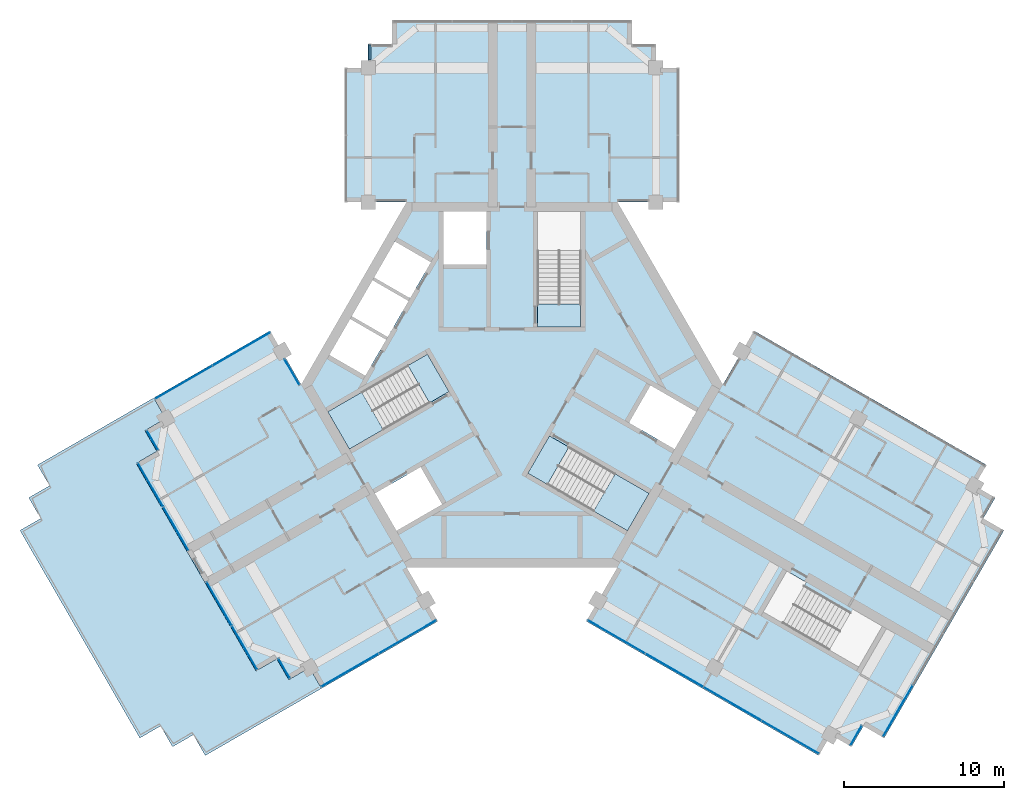
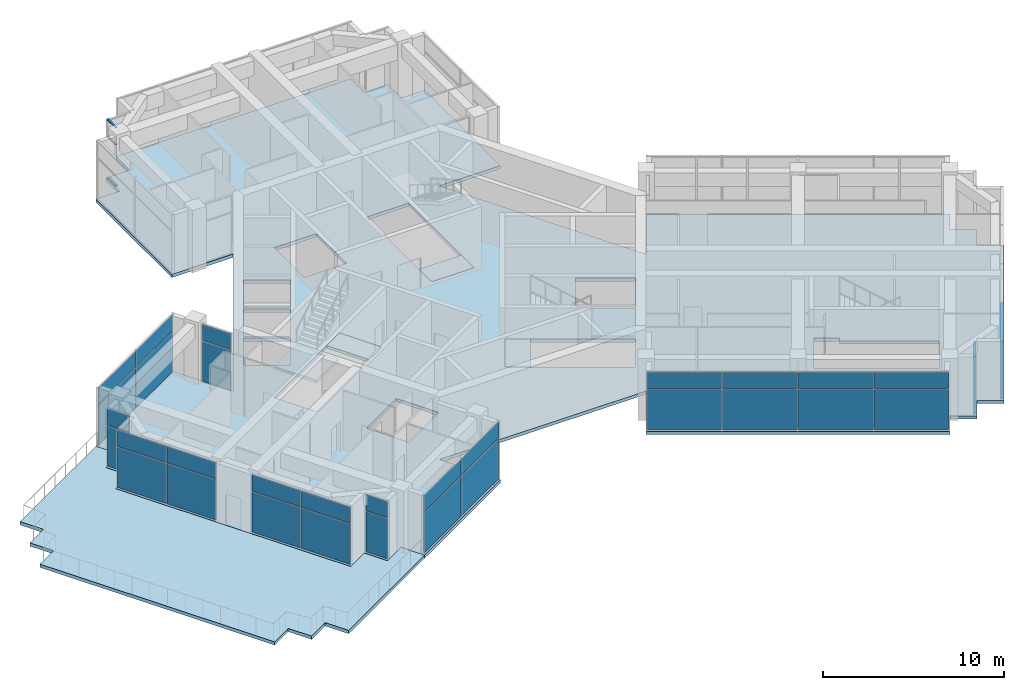
# One storey, part 7 of 13: 34 plates, 7 slabs, 3 members, 14 elements without a shape of their own.
"""IFC4 building model written with IfcOpenShell, lengths in metres."""

import ifcopenshell
import ifcopenshell.guid

model = None  # the IFC model being written
_history = None  # IfcOwnerHistory: only IFC2X3 demands one
_inside = {}  # id of a spatial element -> (the spatial element, [elements in it])
_under = {}  # id of a project, library or spatial element -> (it, [spatial elements below it])
_declared = {}  # id of a project -> (the project, [libraries it declares])
_typed = {}  # id of a type object -> (the type object, [elements of that type])
_made_of = {}  # id of a material, layer set ... -> (it, [elements and type objects made of it])


def new_model(schema):
    """Start an empty IFC model of exactly this schema.

    Asked for "IFC4X3", IfcOpenShell would pick the latest addendum, in which some entities
    have other attributes; the version numbers below select the first issue.
    IFC2X3 requires an IfcOwnerHistory on every rooted entity: one is made here for all.
    """
    global model, _history
    if schema == "IFC4X3":
        model = ifcopenshell.file(schema_version=(4, 3, 0, 0))
    else:
        model = ifcopenshell.file(schema=schema)
    _inside.clear()
    _under.clear()
    _declared.clear()
    _typed.clear()
    _made_of.clear()
    _history = None
    if model.schema == "IFC2X3":
        org = make("IfcOrganization", Name="unknown")
        user = make(
            "IfcPersonAndOrganization",
            ThePerson=make("IfcPerson", FamilyName="unknown"),
            TheOrganization=org,
        )
        app = make(
            "IfcApplication",
            ApplicationDeveloper=org,
            Version="unknown",
            ApplicationFullName="unknown",
            ApplicationIdentifier="unknown",
        )
        _history = make(
            "IfcOwnerHistory",
            OwningUser=user,
            OwningApplication=app,
            ChangeAction="ADDED",
            CreationDate=0,
        )
    return model


def make(cls, **values):
    """One entity of the class cls with the attributes given. An attribute that is None is left unset."""
    return model.create_entity(
        cls, **{name: value for name, value in values.items() if value is not None}
    )


def rooted(cls, **values):
    """An entity with a GlobalId (a new one), such as an element, a storey or a relation."""
    return make(cls, GlobalId=ifcopenshell.guid.new(), OwnerHistory=_history, **values)


def si_unit(unit_type, name, prefix=None):
    """IfcSIUnit, for example si_unit("LENGTHUNIT", "METRE", prefix="MILLI")."""
    return make("IfcSIUnit", UnitType=unit_type, Prefix=prefix, Name=name)


def assignment(units):
    """IfcUnitAssignment: the units of a project."""
    return None if units is None else make("IfcUnitAssignment", Units=units)


def point(xyz):
    """IfcCartesianPoint."""
    return None if xyz is None else make("IfcCartesianPoint", Coordinates=xyz)


def direction(xyz):
    """IfcDirection."""
    return None if xyz is None else make("IfcDirection", DirectionRatios=xyz)


def frame(location, z_axis=None, x_axis=None):
    """IfcAxis2Placement3D, a coordinate frame: its origin and axes. An axis left out is left unset."""
    return make(
        "IfcAxis2Placement3D",
        Location=point(location),
        Axis=direction(z_axis),
        RefDirection=direction(x_axis),
    )


def frame_2d(location, x_axis=None):
    """IfcAxis2Placement2D, a coordinate frame in the plane: its origin and x axis."""
    return make(
        "IfcAxis2Placement2D", Location=point(location), RefDirection=direction(x_axis)
    )


def origin():
    """The frame at (0, 0, 0) with its axes left unset."""
    return frame((0.0, 0.0, 0.0))


def origin_2d():
    """The frame at (0, 0) in the plane with its x axis left unset."""
    return frame_2d((0.0, 0.0))


def place(relative_to, where):
    """IfcLocalPlacement: puts the frame where relative to a parent placement (None: the world)."""
    return make(
        "IfcLocalPlacement", PlacementRelTo=relative_to, RelativePlacement=where
    )


def context(
    kind, dimensions, precision=None, world=None, true_north=None, identifier=None
):
    """IfcGeometricRepresentationContext, for example the 3D "Model" context."""
    return make(
        "IfcGeometricRepresentationContext",
        ContextIdentifier=identifier,
        ContextType=kind,
        CoordinateSpaceDimension=dimensions,
        Precision=precision,
        WorldCoordinateSystem=world,
        TrueNorth=true_north,
    )


def subcontext(parent, identifier, kind, view, scale=None):
    """IfcGeometricRepresentationSubContext, for example "Body" below "Model"."""
    return make(
        "IfcGeometricRepresentationSubContext",
        ContextIdentifier=identifier,
        ContextType=kind,
        ParentContext=parent,
        TargetScale=scale,
        TargetView=view,
    )


def project(units=None, contexts=None):
    """IfcProject with its units and contexts."""
    return rooted(
        "IfcProject",
        Name="project",
        RepresentationContexts=contexts,
        UnitsInContext=assignment(units),
    )


def spatial(cls, under=None, at=None, **own):
    """A site, building, storey or space (cls), placed at a placement, below another one or the project."""
    s = rooted(cls, ObjectPlacement=at, **own)
    if under is not None:
        _under.setdefault(under.id(), (under, []))[1].append(s)
    return s


def polyline(points):
    """IfcPolyline through the points."""
    return make("IfcPolyline", Points=[point(p) for p in points])


def profile(cls, at=None, kind="AREA", **sizes):
    """A parametric profile (cls). Its sizes go by their IFC names, for example OverallWidth=200.0."""
    return make(cls, ProfileType=kind, Position=at, **sizes)


def rectangle(**sizes):
    """IfcRectangleProfileDef."""
    return profile("IfcRectangleProfileDef", **sizes)


def outline(outer, holes=None, kind="AREA"):
    """IfcArbitraryClosedProfileDef: a profile drawn as a closed curve; with holes, ...WithVoids."""
    if holes is None:
        return make("IfcArbitraryClosedProfileDef", ProfileType=kind, OuterCurve=outer)
    return make(
        "IfcArbitraryProfileDefWithVoids",
        ProfileType=kind,
        OuterCurve=outer,
        InnerCurves=holes,
    )


def extrude(swept, where, along, depth):
    """IfcExtrudedAreaSolid: the profile swept, set in the frame where, extruded along a direction by depth."""
    return make(
        "IfcExtrudedAreaSolid",
        SweptArea=swept,
        Position=where,
        ExtrudedDirection=direction(along),
        Depth=depth,
    )


def shape(context_of_items, identifier, shape_type, items):
    """IfcShapeRepresentation: the items that make up one representation, for example the "Body"."""
    return make(
        "IfcShapeRepresentation",
        ContextOfItems=context_of_items,
        RepresentationIdentifier=identifier,
        RepresentationType=shape_type,
        Items=items,
    )


def material(Name=None, Category=None):
    """IfcMaterial."""
    return make("IfcMaterial", Name=Name, Category=Category)


def layer(
    of_material, thickness, ventilated=None, Name=None, Category=None, Priority=None
):
    """IfcMaterialLayer: one layer of a wall or slab, of a material (None: an air gap)."""
    return make(
        "IfcMaterialLayer",
        Material=of_material,
        LayerThickness=thickness,
        IsVentilated=ventilated,
        Name=Name,
        Category=Category,
        Priority=Priority,
    )


def layer_set(layers, Name=None):
    """IfcMaterialLayerSet."""
    return make("IfcMaterialLayerSet", MaterialLayers=layers, LayerSetName=Name)


def material_profile(
    of_material, cross_section, Name=None, Category=None, Priority=None
):
    """IfcMaterialProfile: a cross section and its material."""
    return make(
        "IfcMaterialProfile",
        Name=Name,
        Material=of_material,
        Profile=cross_section,
        Priority=Priority,
        Category=Category,
    )


def profile_set(profiles, Name=None, composite=None):
    """IfcMaterialProfileSet."""
    return make(
        "IfcMaterialProfileSet",
        Name=Name,
        MaterialProfiles=profiles,
        CompositeProfile=composite,
    )


def made_of(thing, what):
    """Note that an element or type object is made of a material, layer set ...; save() writes the relation."""
    if what is not None:
        _made_of.setdefault(what.id(), (what, []))[1].append(thing)
    return thing


def type_object(cls, material=None, **own):
    """A type object (cls), such as IfcWallType, which elements share."""
    return made_of(rooted(cls, **own), material)


def element(
    cls,
    number,
    at=None,
    inside=None,
    cuts=None,
    type_object=None,
    material=None,
    context=None,
    identifier="Body",
    shape_type=None,
    held_by="IfcProductDefinitionShape",
    body=None,
    shapes=None,
    **own,
):
    """One element of the class cls, such as IfcWall. Its Tag is "e" and its number.

    at: its placement. inside: the storey or other place that contains it. cuts: it is an
    opening in that element (IfcRelVoidsElement). A single representation is given by context,
    identifier, shape_type and body (its items); several are given by shapes. held_by: the class
    of the entity that holds the representations. save() writes the other relations.
    """
    e = rooted(cls, Tag="e%d" % number, ObjectPlacement=at, **own)
    if body is not None:
        shapes = [shape(context, identifier, shape_type, body)]
    if shapes is not None:
        e.Representation = make(held_by, Representations=shapes)
    if inside is not None:
        _inside.setdefault(inside.id(), (inside, []))[1].append(e)
    if cuts is not None:
        rooted(
            "IfcRelVoidsElement", RelatingBuildingElement=cuts, RelatedOpeningElement=e
        )
    if type_object is not None:
        _typed.setdefault(type_object.id(), (type_object, []))[1].append(e)
    return made_of(e, material)


def aggregate(whole, parts):
    """IfcRelAggregates: a whole, such as a stair, and the parts it consists of."""
    return rooted("IfcRelAggregates", RelatingObject=whole, RelatedObjects=parts)


def save(model, path):
    """Write the relations noted so far, then the file.

    IfcRelAggregates (storeys below a building ...), IfcRelContainedInSpatialStructure (elements
    in a storey), IfcRelDefinesByType, IfcRelAssociatesMaterial and IfcRelDeclares: one each for
    every whole, place, type object, material and project.
    """
    for whole, parts in _under.values():
        aggregate(whole, parts)
    for where, things in _inside.values():
        rooted(
            "IfcRelContainedInSpatialStructure",
            RelatedElements=things,
            RelatingStructure=where,
        )
    for kind, things in _typed.values():
        rooted("IfcRelDefinesByType", RelatedObjects=things, RelatingType=kind)
    for what, things in _made_of.values():
        rooted("IfcRelAssociatesMaterial", RelatedObjects=things, RelatingMaterial=what)
    for by, libraries in _declared.values():
        rooted("IfcRelDeclares", RelatingContext=by, RelatedDefinitions=libraries)
    model.write(path)


model = new_model("IFC4")

# Units and contexts
model_context = context("Model", 3, precision=1e-05, world=origin(), true_north=direction((0.0, 1.0)))
body_context = subcontext(model_context, "Body", "Model", "MODEL_VIEW")
ifc_project = project(units=[si_unit("LENGTHUNIT", "METRE"), si_unit("AREAUNIT", "SQUARE_METRE"), si_unit("VOLUMEUNIT", "CUBIC_METRE"), si_unit("PLANEANGLEUNIT", "RADIAN"), si_unit("MASSUNIT", "GRAM", prefix="KILO")], contexts=[model_context])

# Site, building, storey
site_placement = place(None, origin())
site = spatial("IfcSite", under=ifc_project, at=site_placement, CompositionType="ELEMENT")
building_placement = place(site_placement, origin())
building = spatial("IfcBuilding", under=site, at=building_placement, Name="Impinga Residences", CompositionType="ELEMENT")
storey_placement = place(building_placement, frame((0.0, 0.0, 283.14990234375)))
storey = spatial("IfcBuildingStorey", under=building, at=storey_placement, Name="L71", CompositionType="ELEMENT", Elevation=283.14990234375)

# Curtain wall, members
ifc_material_1 = material(Name="Aluminium stick curtain wall", Category="aluminium")
curtain_wall_type = type_object("IfcCurtainWallType", Name="CW3 penthouse curtain wall", PredefinedType="USERDEFINED", material=ifc_material_1)
curtain_wall_1_placement = place(storey_placement, origin())
curtain_wall_1 = element("IfcCurtainWall", 1, at=curtain_wall_1_placement, inside=storey, type_object=curtain_wall_type, Name="Curtain wall CW3 L71", ObjectType="STICK CURTAIN WALL", PredefinedType="USERDEFINED")
ifc_material_2 = material(Name="Aluminium transom", Category="aluminium")
ifc_material_profile = material_profile(ifc_material_2, rectangle(XDim=0.06005859375, YDim=0.1201171875, at=origin_2d()), Name="60x120 transom")
ifc_profile_set = profile_set([ifc_material_profile], Name="Aluminium transom")
member_type = type_object("IfcMemberType", Name="CW3-T transom 60x120", PredefinedType="USERDEFINED", material=ifc_profile_set)
member_1_placement = place(storey_placement, frame((-8.89990234375, 20.344482421875, 0.030029296875), z_axis=(0.0, 1.0, 0.0), x_axis=(0.0, 0.0, 1.0)))
member_1 = element("IfcMember", 2, at=member_1_placement, type_object=member_type, Name="CW3 transom 1.1", ObjectType="TRANSOM", PredefinedType="USERDEFINED", context=body_context, shape_type="SweptSolid", body=[
    extrude(rectangle(XDim=0.06005859375, YDim=0.1201171875, at=origin_2d()), origin(), (0.0, 0.0, 1.0), 0.927001953125),
])
member_2_placement = place(storey_placement, frame((-8.89990234375, 20.344482421875, 2.800048828125), z_axis=(0.0, 1.0, 0.0), x_axis=(0.0, 0.0, 1.0)))
member_2 = element("IfcMember", 3, at=member_2_placement, type_object=member_type, Name="CW3 transom 1.2", ObjectType="TRANSOM", PredefinedType="USERDEFINED", context=body_context, shape_type="SweptSolid", body=[
    extrude(rectangle(XDim=0.06005859375, YDim=0.1201171875, at=origin_2d()), origin(), (0.0, 0.0, 1.0), 0.927001953125),
])
member_3_placement = place(storey_placement, frame((-8.89990234375, 20.344482421875, 3.9501953125), z_axis=(0.0, 1.0, 0.0), x_axis=(0.0, 0.0, 1.0)))
member_3 = element("IfcMember", 4, at=member_3_placement, type_object=member_type, Name="CW3 transom 1.3", ObjectType="TRANSOM", PredefinedType="USERDEFINED", context=body_context, shape_type="SweptSolid", body=[
    extrude(rectangle(XDim=0.06005859375, YDim=0.1201171875, at=origin_2d()), origin(), (0.0, 0.0, 1.0), 0.927001953125),
])
aggregate(curtain_wall_1, [member_1, member_2, member_3])

# Curtain wall, plates
curtain_wall_2_placement = place(storey_placement, origin())
curtain_wall_2 = element("IfcCurtainWall", 5, at=curtain_wall_2_placement, inside=storey, type_object=curtain_wall_type, Name="Curtain wall CW3 L71", ObjectType="STICK CURTAIN WALL", PredefinedType="USERDEFINED")
ifc_material_3 = material(Name="Clear double glazing", Category="glass")
ifc_layer_1 = layer(ifc_material_3, 0.028076171875)
ifc_layer_set_1 = layer_set([ifc_layer_1], Name="CW3-P clear double glazed panel 28")
plate_type = type_object("IfcPlateType", Name="CW3-P clear double glazed panel 28", PredefinedType="CURTAIN_PANEL", material=ifc_layer_set_1)
plate_1_placement = place(storey_placement, frame((24.15576171875, -20.424072265625, 0.06005859375), z_axis=(0.0, 0.0, 1.0), x_axis=(-0.500000001632, -0.866025402842, 0.0)))
plate_1 = element("IfcPlate", 6, at=plate_1_placement, type_object=plate_type, Name="CW3 panel 4.1", PredefinedType="CURTAIN_PANEL", context=body_context, shape_type="SweptSolid", body=[
    extrude(rectangle(XDim=3.659912109375, YDim=0.028076171875, at=origin_2d()), origin(), (0.0, 0.0, 1.0), 2.7099609375),
])
plate_2_placement = place(storey_placement, frame((24.15576171875, -20.424072265625, 2.830078125), z_axis=(0.0, 0.0, 1.0), x_axis=(-0.500000001632, -0.866025402842, 0.0)))
plate_2 = element("IfcPlate", 7, at=plate_2_placement, type_object=plate_type, Name="CW3 panel 4.2", PredefinedType="CURTAIN_PANEL", context=body_context, shape_type="SweptSolid", body=[
    extrude(rectangle(XDim=3.659912109375, YDim=0.028076171875, at=origin_2d()), origin(), (0.0, 0.0, 1.0), 1.090087890625),
])
aggregate(curtain_wall_2, [plate_1, plate_2])

curtain_wall_3_placement = place(storey_placement, origin())
curtain_wall_3 = element("IfcCurtainWall", 8, at=curtain_wall_3_placement, inside=storey, type_object=curtain_wall_type, Name="Curtain wall CW3 L71", ObjectType="STICK CURTAIN WALL", PredefinedType="USERDEFINED")
plate_3_placement = place(storey_placement, frame((21.53662109375, -21.96044921875, 0.06005859375), z_axis=(0.0, 0.0, 1.0), x_axis=(-0.500000030502, -0.866025386174, 0.0)))
plate_3 = element("IfcPlate", 9, at=plate_3_placement, type_object=plate_type, Name="CW3 panel 1.1", PredefinedType="CURTAIN_PANEL", context=body_context, shape_type="SweptSolid", body=[
    extrude(rectangle(XDim=1.3798828125, YDim=0.028076171875, at=origin_2d()), origin(), (0.0, 0.0, 1.0), 2.7099609375),
])
plate_4_placement = place(storey_placement, frame((21.53662109375, -21.96044921875, 2.830078125), z_axis=(0.0, 0.0, 1.0), x_axis=(-0.500000030502, -0.866025386174, 0.0)))
plate_4 = element("IfcPlate", 10, at=plate_4_placement, type_object=plate_type, Name="CW3 panel 1.2", PredefinedType="CURTAIN_PANEL", context=body_context, shape_type="SweptSolid", body=[
    extrude(rectangle(XDim=1.3798828125, YDim=0.028076171875, at=origin_2d()), origin(), (0.0, 0.0, 1.0), 1.090087890625),
])
aggregate(curtain_wall_3, [plate_3, plate_4])

curtain_wall_4_placement = place(storey_placement, origin())
curtain_wall_4 = element("IfcCurtainWall", 11, at=curtain_wall_4_placement, inside=storey, type_object=curtain_wall_type, Name="Curtain wall CW3 L71", ObjectType="STICK CURTAIN WALL", PredefinedType="USERDEFINED")
plate_5_placement = place(storey_placement, frame((17.41748046875, -22.06494140625, 0.06005859375), z_axis=(0.0, 0.0, 1.0), x_axis=(-0.866025407005, 0.499999994423, 0.0)))
plate_5 = element("IfcPlate", 12, at=plate_5_placement, type_object=plate_type, Name="CW3 panel 1.1", PredefinedType="CURTAIN_PANEL", context=body_context, shape_type="SweptSolid", body=[
    extrude(rectangle(XDim=4.110107421875, YDim=0.028076171875, at=origin_2d()), origin(), (0.0, 0.0, 1.0), 2.7099609375),
])
plate_6_placement = place(storey_placement, frame((17.41748046875, -22.06494140625, 2.830078125), z_axis=(0.0, 0.0, 1.0), x_axis=(-0.866025407005, 0.499999994423, 0.0)))
plate_6 = element("IfcPlate", 13, at=plate_6_placement, type_object=plate_type, Name="CW3 panel 1.2", PredefinedType="CURTAIN_PANEL", context=body_context, shape_type="SweptSolid", body=[
    extrude(rectangle(XDim=4.110107421875, YDim=0.028076171875, at=origin_2d()), origin(), (0.0, 0.0, 1.0), 1.090087890625),
])
plate_7_placement = place(storey_placement, frame((13.793212890625, -19.972412109375, 0.06005859375), z_axis=(0.0, 0.0, 1.0), x_axis=(-0.866025407005, 0.499999994423, 0.0)))
plate_7 = element("IfcPlate", 14, at=plate_7_placement, type_object=plate_type, Name="CW3 panel 2.1", PredefinedType="CURTAIN_PANEL", context=body_context, shape_type="SweptSolid", body=[
    extrude(rectangle(XDim=4.139892578125, YDim=0.028076171875, at=origin_2d()), origin(), (0.0, 0.0, 1.0), 2.7099609375),
])
plate_8_placement = place(storey_placement, frame((13.793212890625, -19.972412109375, 2.830078125), z_axis=(0.0, 0.0, 1.0), x_axis=(-0.866025407005, 0.499999994423, 0.0)))
plate_8 = element("IfcPlate", 15, at=plate_8_placement, type_object=plate_type, Name="CW3 panel 2.2", PredefinedType="CURTAIN_PANEL", context=body_context, shape_type="SweptSolid", body=[
    extrude(rectangle(XDim=4.139892578125, YDim=0.028076171875, at=origin_2d()), origin(), (0.0, 0.0, 1.0), 1.090087890625),
])
plate_9_placement = place(storey_placement, frame((10.156005859375, -17.872314453125, 0.06005859375), z_axis=(0.0, 0.0, 1.0), x_axis=(-0.866025407005, 0.499999994423, 0.0)))
plate_9 = element("IfcPlate", 16, at=plate_9_placement, type_object=plate_type, Name="CW3 panel 3.1", PredefinedType="CURTAIN_PANEL", context=body_context, shape_type="SweptSolid", body=[
    extrude(rectangle(XDim=4.139892578125, YDim=0.028076171875, at=origin_2d()), origin(), (0.0, 0.0, 1.0), 2.7099609375),
])
plate_10_placement = place(storey_placement, frame((10.156005859375, -17.872314453125, 2.830078125), z_axis=(0.0, 0.0, 1.0), x_axis=(-0.866025407005, 0.499999994423, 0.0)))
plate_10 = element("IfcPlate", 17, at=plate_10_placement, type_object=plate_type, Name="CW3 panel 3.2", PredefinedType="CURTAIN_PANEL", context=body_context, shape_type="SweptSolid", body=[
    extrude(rectangle(XDim=4.139892578125, YDim=0.028076171875, at=origin_2d()), origin(), (0.0, 0.0, 1.0), 1.090087890625),
])
plate_11_placement = place(storey_placement, frame((6.53173828125, -15.780029296875, 0.06005859375), z_axis=(0.0, 0.0, 1.0), x_axis=(-0.866025407005, 0.499999994423, 0.0)))
plate_11 = element("IfcPlate", 18, at=plate_11_placement, type_object=plate_type, Name="CW3 panel 4.1", PredefinedType="CURTAIN_PANEL", context=body_context, shape_type="SweptSolid", body=[
    extrude(rectangle(XDim=4.110107421875, YDim=0.028076171875, at=origin_2d()), origin(), (0.0, 0.0, 1.0), 2.7099609375),
])
plate_12_placement = place(storey_placement, frame((6.53173828125, -15.780029296875, 2.830078125), z_axis=(0.0, 0.0, 1.0), x_axis=(-0.866025407005, 0.499999994423, 0.0)))
plate_12 = element("IfcPlate", 19, at=plate_12_placement, type_object=plate_type, Name="CW3 panel 4.2", PredefinedType="CURTAIN_PANEL", context=body_context, shape_type="SweptSolid", body=[
    extrude(rectangle(XDim=4.110107421875, YDim=0.028076171875, at=origin_2d()), origin(), (0.0, 0.0, 1.0), 1.090087890625),
])
aggregate(curtain_wall_4, [plate_5, plate_6, plate_7, plate_8, plate_9, plate_10, plate_11, plate_12])

curtain_wall_5_placement = place(storey_placement, origin())
curtain_wall_5 = element("IfcCurtainWall", 20, at=curtain_wall_5_placement, inside=storey, type_object=curtain_wall_type, Name="Curtain wall CW3 L71", ObjectType="STICK CURTAIN WALL", PredefinedType="USERDEFINED")
plate_13_placement = place(storey_placement, frame((-6.53173828125, -15.780029296875, 0.06005859375), z_axis=(0.0, 0.0, 1.0), x_axis=(-0.866025392126, -0.500000020194, 0.0)))
plate_13 = element("IfcPlate", 21, at=plate_13_placement, type_object=plate_type, Name="CW3 panel 1.1", PredefinedType="CURTAIN_PANEL", context=body_context, shape_type="SweptSolid", body=[
    extrude(rectangle(XDim=4.110107421875, YDim=0.028076171875, at=origin_2d()), origin(), (0.0, 0.0, 1.0), 2.7099609375),
])
plate_14_placement = place(storey_placement, frame((-6.53173828125, -15.780029296875, 2.830078125), z_axis=(0.0, 0.0, 1.0), x_axis=(-0.866025392126, -0.500000020194, 0.0)))
plate_14 = element("IfcPlate", 22, at=plate_14_placement, type_object=plate_type, Name="CW3 panel 1.2", PredefinedType="CURTAIN_PANEL", context=body_context, shape_type="SweptSolid", body=[
    extrude(rectangle(XDim=4.110107421875, YDim=0.028076171875, at=origin_2d()), origin(), (0.0, 0.0, 1.0), 1.090087890625),
])
plate_15_placement = place(storey_placement, frame((-10.14306640625, -17.864990234375, 0.06005859375), z_axis=(0.0, 0.0, 1.0), x_axis=(-0.866025392126, -0.500000020194, 0.0)))
plate_15 = element("IfcPlate", 23, at=plate_15_placement, type_object=plate_type, Name="CW3 panel 2.1", PredefinedType="CURTAIN_PANEL", context=body_context, shape_type="SweptSolid", body=[
    extrude(rectangle(XDim=4.110107421875, YDim=0.028076171875, at=origin_2d()), origin(), (0.0, 0.0, 1.0), 2.7099609375),
])
plate_16_placement = place(storey_placement, frame((-10.14306640625, -17.864990234375, 2.830078125), z_axis=(0.0, 0.0, 1.0), x_axis=(-0.866025392126, -0.500000020194, 0.0)))
plate_16 = element("IfcPlate", 24, at=plate_16_placement, type_object=plate_type, Name="CW3 panel 2.2", PredefinedType="CURTAIN_PANEL", context=body_context, shape_type="SweptSolid", body=[
    extrude(rectangle(XDim=4.110107421875, YDim=0.028076171875, at=origin_2d()), origin(), (0.0, 0.0, 1.0), 1.090087890625),
])
aggregate(curtain_wall_5, [plate_13, plate_14, plate_15, plate_16])

curtain_wall_6_placement = place(storey_placement, origin())
curtain_wall_6 = element("IfcCurtainWall", 25, at=curtain_wall_6_placement, inside=storey, type_object=curtain_wall_type, Name="Curtain wall CW3 L71", ObjectType="STICK CURTAIN WALL", PredefinedType="USERDEFINED")
plate_17_placement = place(storey_placement, frame((-14.261962890625, -17.760498046875, 0.06005859375), z_axis=(0.0, 0.0, 1.0), x_axis=(-0.500000030502, 0.866025386174, 0.0)))
plate_17 = element("IfcPlate", 26, at=plate_17_placement, type_object=plate_type, Name="CW3 panel 1.1", PredefinedType="CURTAIN_PANEL", context=body_context, shape_type="SweptSolid", body=[
    extrude(rectangle(XDim=1.3798828125, YDim=0.028076171875, at=origin_2d()), origin(), (0.0, 0.0, 1.0), 2.7099609375),
])
plate_18_placement = place(storey_placement, frame((-14.261962890625, -17.760498046875, 2.830078125), z_axis=(0.0, 0.0, 1.0), x_axis=(-0.500000030502, 0.866025386174, 0.0)))
plate_18 = element("IfcPlate", 27, at=plate_18_placement, type_object=plate_type, Name="CW3 panel 1.2", PredefinedType="CURTAIN_PANEL", context=body_context, shape_type="SweptSolid", body=[
    extrude(rectangle(XDim=1.3798828125, YDim=0.028076171875, at=origin_2d()), origin(), (0.0, 0.0, 1.0), 1.090087890625),
])
aggregate(curtain_wall_6, [plate_17, plate_18])

curtain_wall_7_placement = place(storey_placement, origin())
curtain_wall_7 = element("IfcCurtainWall", 28, at=curtain_wall_7_placement, inside=storey, type_object=curtain_wall_type, Name="Curtain wall CW3 L71", ObjectType="STICK CURTAIN WALL", PredefinedType="USERDEFINED")
plate_19_placement = place(storey_placement, frame((-16.74365234375, -16.46240234375, 0.06005859375), z_axis=(0.0, 0.0, 1.0), x_axis=(-0.499999971871, 0.866025420025, 0.0)))
plate_19 = element("IfcPlate", 29, at=plate_19_placement, type_object=plate_type, Name="CW3 panel 1.1", PredefinedType="CURTAIN_PANEL", context=body_context, shape_type="SweptSolid", body=[
    extrude(rectangle(XDim=3.110107421875, YDim=0.028076171875, at=origin_2d()), origin(), (0.0, 0.0, 1.0), 2.7099609375),
])
plate_20_placement = place(storey_placement, frame((-16.74365234375, -16.46240234375, 2.830078125), z_axis=(0.0, 0.0, 1.0), x_axis=(-0.499999971871, 0.866025420025, 0.0)))
plate_20 = element("IfcPlate", 30, at=plate_20_placement, type_object=plate_type, Name="CW3 panel 1.2", PredefinedType="CURTAIN_PANEL", context=body_context, shape_type="SweptSolid", body=[
    extrude(rectangle(XDim=3.110107421875, YDim=0.028076171875, at=origin_2d()), origin(), (0.0, 0.0, 1.0), 1.090087890625),
])
plate_21_placement = place(storey_placement, frame((-18.32861328125, -13.717041015625, 0.06005859375), z_axis=(0.0, 0.0, 1.0), x_axis=(-0.499999971871, 0.866025420025, 0.0)))
plate_21 = element("IfcPlate", 31, at=plate_21_placement, type_object=plate_type, Name="CW3 panel 2.1", PredefinedType="CURTAIN_PANEL", context=body_context, shape_type="SweptSolid", body=[
    extrude(rectangle(XDim=3.110107421875, YDim=0.028076171875, at=origin_2d()), origin(), (0.0, 0.0, 1.0), 2.7099609375),
])
plate_22_placement = place(storey_placement, frame((-18.32861328125, -13.717041015625, 2.830078125), z_axis=(0.0, 0.0, 1.0), x_axis=(-0.499999971871, 0.866025420025, 0.0)))
plate_22 = element("IfcPlate", 32, at=plate_22_placement, type_object=plate_type, Name="CW3 panel 2.2", PredefinedType="CURTAIN_PANEL", context=body_context, shape_type="SweptSolid", body=[
    extrude(rectangle(XDim=3.110107421875, YDim=0.028076171875, at=origin_2d()), origin(), (0.0, 0.0, 1.0), 1.090087890625),
])
aggregate(curtain_wall_7, [plate_19, plate_20, plate_21, plate_22])

curtain_wall_8_placement = place(storey_placement, origin())
curtain_wall_8 = element("IfcCurtainWall", 33, at=curtain_wall_8_placement, inside=storey, type_object=curtain_wall_type, Name="Curtain wall CW3 L71", ObjectType="STICK CURTAIN WALL", PredefinedType="USERDEFINED")
plate_23_placement = place(storey_placement, frame((-21.043701171875, -9.014404296875, 0.06005859375), z_axis=(0.0, 0.0, 1.0), x_axis=(-0.499999971871, 0.866025420025, 0.0)))
plate_23 = element("IfcPlate", 34, at=plate_23_placement, type_object=plate_type, Name="CW3 panel 1.1", PredefinedType="CURTAIN_PANEL", context=body_context, shape_type="SweptSolid", body=[
    extrude(rectangle(XDim=3.110107421875, YDim=0.028076171875, at=origin_2d()), origin(), (0.0, 0.0, 1.0), 2.7099609375),
])
plate_24_placement = place(storey_placement, frame((-21.043701171875, -9.014404296875, 2.830078125), z_axis=(0.0, 0.0, 1.0), x_axis=(-0.499999971871, 0.866025420025, 0.0)))
plate_24 = element("IfcPlate", 35, at=plate_24_placement, type_object=plate_type, Name="CW3 panel 1.2", PredefinedType="CURTAIN_PANEL", context=body_context, shape_type="SweptSolid", body=[
    extrude(rectangle(XDim=3.110107421875, YDim=0.028076171875, at=origin_2d()), origin(), (0.0, 0.0, 1.0), 1.090087890625),
])
plate_25_placement = place(storey_placement, frame((-22.628662109375, -6.269287109375, 0.06005859375), z_axis=(0.0, 0.0, 1.0), x_axis=(-0.499999971871, 0.866025420025, 0.0)))
plate_25 = element("IfcPlate", 36, at=plate_25_placement, type_object=plate_type, Name="CW3 panel 2.1", PredefinedType="CURTAIN_PANEL", context=body_context, shape_type="SweptSolid", body=[
    extrude(rectangle(XDim=3.110107421875, YDim=0.028076171875, at=origin_2d()), origin(), (0.0, 0.0, 1.0), 2.7099609375),
])
plate_26_placement = place(storey_placement, frame((-22.628662109375, -6.269287109375, 2.830078125), z_axis=(0.0, 0.0, 1.0), x_axis=(-0.499999971871, 0.866025420025, 0.0)))
plate_26 = element("IfcPlate", 37, at=plate_26_placement, type_object=plate_type, Name="CW3 panel 2.2", PredefinedType="CURTAIN_PANEL", context=body_context, shape_type="SweptSolid", body=[
    extrude(rectangle(XDim=3.110107421875, YDim=0.028076171875, at=origin_2d()), origin(), (0.0, 0.0, 1.0), 1.090087890625),
])
aggregate(curtain_wall_8, [plate_23, plate_24, plate_25, plate_26])

curtain_wall_9_placement = place(storey_placement, origin())
curtain_wall_9 = element("IfcCurtainWall", 38, at=curtain_wall_9_placement, inside=storey, type_object=curtain_wall_type, Name="Curtain wall CW3 L71", ObjectType="STICK CURTAIN WALL", PredefinedType="USERDEFINED")
plate_27_placement = place(storey_placement, frame((-22.511962890625, -3.470947265625, 0.06005859375), z_axis=(0.0, 0.0, 1.0), x_axis=(-0.500000030502, 0.866025386174, 0.0)))
plate_27 = element("IfcPlate", 39, at=plate_27_placement, type_object=plate_type, Name="CW3 panel 1.1", PredefinedType="CURTAIN_PANEL", context=body_context, shape_type="SweptSolid", body=[
    extrude(rectangle(XDim=1.3798828125, YDim=0.028076171875, at=origin_2d()), origin(), (0.0, 0.0, 1.0), 2.7099609375),
])
plate_28_placement = place(storey_placement, frame((-22.511962890625, -3.470947265625, 2.830078125), z_axis=(0.0, 0.0, 1.0), x_axis=(-0.500000030502, 0.866025386174, 0.0)))
plate_28 = element("IfcPlate", 40, at=plate_28_placement, type_object=plate_type, Name="CW3 panel 1.2", PredefinedType="CURTAIN_PANEL", context=body_context, shape_type="SweptSolid", body=[
    extrude(rectangle(XDim=1.3798828125, YDim=0.028076171875, at=origin_2d()), origin(), (0.0, 0.0, 1.0), 1.090087890625),
])
aggregate(curtain_wall_9, [plate_27, plate_28])

curtain_wall_10_placement = place(storey_placement, origin())
curtain_wall_10 = element("IfcCurtainWall", 41, at=curtain_wall_10_placement, inside=storey, type_object=curtain_wall_type, Name="Curtain wall CW3 L71", ObjectType="STICK CURTAIN WALL", PredefinedType="USERDEFINED")
plate_29_placement = place(storey_placement, frame((-20.54296875, 0.1484375, 0.06005859375), z_axis=(0.0, 0.0, 1.0), x_axis=(0.866025392126, 0.500000020194, 0.0)))
plate_29 = element("IfcPlate", 42, at=plate_29_placement, type_object=plate_type, Name="CW3 panel 1.1", PredefinedType="CURTAIN_PANEL", context=body_context, shape_type="SweptSolid", body=[
    extrude(rectangle(XDim=4.110107421875, YDim=0.028076171875, at=origin_2d()), origin(), (0.0, 0.0, 1.0), 2.7099609375),
])
plate_30_placement = place(storey_placement, frame((-20.54296875, 0.1484375, 2.830078125), z_axis=(0.0, 0.0, 1.0), x_axis=(0.866025392126, 0.500000020194, 0.0)))
plate_30 = element("IfcPlate", 43, at=plate_30_placement, type_object=plate_type, Name="CW3 panel 1.2", PredefinedType="CURTAIN_PANEL", context=body_context, shape_type="SweptSolid", body=[
    extrude(rectangle(XDim=4.110107421875, YDim=0.028076171875, at=origin_2d()), origin(), (0.0, 0.0, 1.0), 1.090087890625),
])
plate_31_placement = place(storey_placement, frame((-16.931640625, 2.2333984375, 0.06005859375), z_axis=(0.0, 0.0, 1.0), x_axis=(0.866025392126, 0.500000020194, 0.0)))
plate_31 = element("IfcPlate", 44, at=plate_31_placement, type_object=plate_type, Name="CW3 panel 2.1", PredefinedType="CURTAIN_PANEL", context=body_context, shape_type="SweptSolid", body=[
    extrude(rectangle(XDim=4.110107421875, YDim=0.028076171875, at=origin_2d()), origin(), (0.0, 0.0, 1.0), 2.7099609375),
])
plate_32_placement = place(storey_placement, frame((-16.931640625, 2.2333984375, 2.830078125), z_axis=(0.0, 0.0, 1.0), x_axis=(0.866025392126, 0.500000020194, 0.0)))
plate_32 = element("IfcPlate", 45, at=plate_32_placement, type_object=plate_type, Name="CW3 panel 2.2", PredefinedType="CURTAIN_PANEL", context=body_context, shape_type="SweptSolid", body=[
    extrude(rectangle(XDim=4.110107421875, YDim=0.028076171875, at=origin_2d()), origin(), (0.0, 0.0, 1.0), 1.090087890625),
])
aggregate(curtain_wall_10, [plate_29, plate_30, plate_31, plate_32])

curtain_wall_11_placement = place(storey_placement, origin())
curtain_wall_11 = element("IfcCurtainWall", 46, at=curtain_wall_11_placement, inside=storey, type_object=curtain_wall_type, Name="Curtain wall CW3 L71", ObjectType="STICK CURTAIN WALL", PredefinedType="USERDEFINED")
plate_33_placement = place(storey_placement, frame((-13.7734375, 0.79296875, 0.06005859375), z_axis=(0.0, 0.0, 1.0), x_axis=(0.50000010257, -0.866025344565, 0.0)))
plate_33 = element("IfcPlate", 47, at=plate_33_placement, type_object=plate_type, Name="CW3 panel 1.1", PredefinedType="CURTAIN_PANEL", context=body_context, shape_type="SweptSolid", body=[
    extrude(rectangle(XDim=1.826904296875, YDim=0.028076171875, at=origin_2d()), origin(), (0.0, 0.0, 1.0), 2.7099609375),
])
plate_34_placement = place(storey_placement, frame((-13.7734375, 0.79296875, 2.830078125), z_axis=(0.0, 0.0, 1.0), x_axis=(0.50000010257, -0.866025344565, 0.0)))
plate_34 = element("IfcPlate", 48, at=plate_34_placement, type_object=plate_type, Name="CW3 panel 1.2", PredefinedType="CURTAIN_PANEL", context=body_context, shape_type="SweptSolid", body=[
    extrude(rectangle(XDim=1.826904296875, YDim=0.028076171875, at=origin_2d()), origin(), (0.0, 0.0, 1.0), 1.090087890625),
])
aggregate(curtain_wall_11, [plate_33, plate_34])

# Slab
ifc_material_4 = material(Name="Concrete C60/75", Category="concrete")
ifc_layer_2 = layer(ifc_material_4, 0.219970703125)
ifc_layer_set_2 = layer_set([ifc_layer_2], Name="Concrete C60/75")
slab_type_1 = type_object("IfcSlabType", Name="FS1 tower floor slab 220", PredefinedType="FLOOR", material=ifc_layer_set_2)
slab_1_placement = place(storey_placement, frame((0.0, 0.0, -0.219970703125)))
element("IfcSlab", 49, at=slab_1_placement, inside=storey, type_object=slab_type_1, Name="Floor slab FS1 L71", PredefinedType="FLOOR", context=body_context, shape_type="SweptSolid", body=[
    extrude(outline(polyline([(28.94921875, -6.321533203125), (30.248291015625, -7.071533203125), (29.498291015625, -8.37060546875), (30.79736328125, -9.12060546875), (23.29736328125, -22.11083984375), (21.998291015625, -21.36083984375), (21.248291015625, -22.659912109375), (19.94921875, -21.909912109375), (19.19921875, -23.208984375), (4.64990234375, -14.80908203125), (9.900146484375, -5.7158203125), (6.60009765625, -11.431640625), (-6.60009765625, -11.431640625), (-9.900146484375, -5.7158203125), (-4.64990234375, -14.80908203125), (-11.924560546875, -19.009033203125), (-12.674560546875, -17.7099609375), (-13.9736328125, -18.4599609375), (-14.7236328125, -17.160888671875), (-16.022705078125, -17.910888671875), (-23.522705078125, -4.920654296875), (-22.2236328125, -4.170654296875), (-22.9736328125, -2.87158203125), (-21.674560546875, -2.12158203125), (-22.424560546875, -0.822509765625), (-15.14990234375, 3.37744140625), (-13.199951171875, 0.0), (-6.60009765625, 11.431640625), (-10.5, 11.431640625), (-10.5, 19.83154296875), (-9.0, 19.83154296875), (-9.0, 21.33154296875), (-7.5, 21.33154296875), (-7.5, 22.83154296875), (7.5, 22.83154296875), (7.5, 21.33154296875), (9.0, 21.33154296875), (9.0, 19.83154296875), (10.5, 19.83154296875), (10.5, 11.431640625), (6.60009765625, 11.431640625), (13.199951171875, 0.0), (15.14990234375, 3.37744140625), (29.69921875, -5.0224609375), (28.94921875, -6.321533203125)]), holes=[polyline([(-8.580322265625, -6.801513671875), (-7.23046875, -9.1396484375), (-4.37109375, -7.489013671875), (-5.72119140625, -5.150634765625), (-8.580322265625, -6.801513671875)]), polyline([(-5.293701171875, 1.908935546875), (-11.5302734375, -1.69189453125), (-10.180419921875, -4.030029296875), (-3.943603515625, -0.429443359375), (-5.293701171875, 1.908935546875)]), polyline([(-7.878662109375, 2.816650390625), (-10.13037109375, 4.11669921875), (-11.430419921875, 1.864990234375), (-9.1787109375, 0.56494140625), (-7.878662109375, 2.816650390625)]), polyline([(-8.73046875, 6.54150390625), (-10.0302734375, 4.2900390625), (-7.77880859375, 2.989990234375), (-6.478759765625, 5.24169921875), (-8.73046875, 6.54150390625)]), polyline([(-5.07861328125, 7.66650390625), (-7.330322265625, 8.966552734375), (-8.63037109375, 6.71484375), (-6.378662109375, 5.414794921875), (-5.07861328125, 7.66650390625)]), polyline([(-1.60009765625, 7.530029296875), (-1.60009765625, 10.83154296875), (-4.300048828125, 10.83154296875), (-4.300048828125, 7.530029296875), (-1.60009765625, 7.530029296875)]), polyline([(21.70458984375, -17.669677734375), (23.0546875, -15.331298828125), (18.29150390625, -12.581298828125), (18.41650390625, -12.36474609375), (17.2041015625, -11.664794921875), (15.72900390625, -14.219482421875), (21.70458984375, -17.669677734375)]), polyline([(7.23046875, -9.1396484375), (8.580322265625, -6.801513671875), (2.34375, -3.20068359375), (0.99365234375, -5.538818359375), (7.23046875, -9.1396484375)]), polyline([(7.3212890625, -2.37939453125), (10.180419921875, -4.030029296875), (11.5302734375, -1.69189453125), (8.671142578125, -0.041015625), (7.3212890625, -2.37939453125)]), polyline([(4.300048828125, 3.6298828125), (4.300048828125, 10.83154296875), (1.60009765625, 10.83154296875), (1.60009765625, 3.6298828125), (4.300048828125, 3.6298828125)])]), origin(), (0.0, 0.0, 1.0), 0.219970703125),
])

# Stair, slab
ifc_material_5 = material(Name="Concrete C40/50", Category="concrete")
stair_type = type_object("IfcStairType", Name="STR core stair 4200 storey, 26 risers", PredefinedType="HALF_TURN_STAIR", material=ifc_material_5)
stair_1_placement = place(storey_placement, origin())
stair_1 = element("IfcStair", 50, at=stair_1_placement, inside=storey, type_object=stair_type, Name="Stair ST1 L71", PredefinedType="HALF_TURN_STAIR")
ifc_layer_3 = layer(ifc_material_5, 0.199951171875)
ifc_layer_set_3 = layer_set([ifc_layer_3], Name="Concrete C40/50")
slab_type_2 = type_object("IfcSlabType", Name="LS1 stair landing 200", PredefinedType="LANDING", material=ifc_layer_set_3)
slab_2_placement = place(storey_placement, frame((0.0, 0.0, -0.199951171875)))
slab_2 = element("IfcSlab", 51, at=slab_2_placement, type_object=slab_type_2, Name="ST1 landing 1", PredefinedType="LANDING", context=body_context, shape_type="SweptSolid", body=[
    extrude(outline(polyline([(1.60009765625, 3.6298828125), (4.300048828125, 3.6298828125), (4.300048828125, 5.0400390625), (1.60009765625, 5.0400390625), (1.60009765625, 3.6298828125)])), origin(), (0.0, 0.0, 1.0), 0.199951171875),
])
aggregate(stair_1, [slab_2])

# Stair, slabs
stair_2_placement = place(storey_placement, origin())
stair_2 = element("IfcStair", 52, at=stair_2_placement, inside=storey, type_object=stair_type, Name="Stair ST2 L71", PredefinedType="HALF_TURN_STAIR")
slab_3_placement = place(storey_placement, frame((0.0, 0.0, -0.199951171875)))
slab_3 = element("IfcSlab", 53, at=slab_3_placement, type_object=slab_type_2, Name="ST2 landing 1", PredefinedType="LANDING", context=body_context, shape_type="SweptSolid", body=[
    extrude(outline(polyline([(-3.943603515625, -0.429443359375), (-5.293701171875, 1.908935546875), (-6.5146484375, 1.203857421875), (-5.164794921875, -1.13427734375), (-3.943603515625, -0.429443359375)])), origin(), (0.0, 0.0, 1.0), 0.199951171875),
])
slab_4_placement = place(storey_placement, frame((0.0, 0.0, 1.900146484375)))
slab_4 = element("IfcSlab", 54, at=slab_4_placement, type_object=slab_type_2, Name="ST2 landing 2", PredefinedType="LANDING", context=body_context, shape_type="SweptSolid", body=[
    extrude(outline(polyline([(-8.057373046875, -2.804443359375), (-9.4072265625, -0.466064453125), (-11.5302734375, -1.69189453125), (-10.180419921875, -4.030029296875), (-8.057373046875, -2.804443359375)])), origin(), (0.0, 0.0, 1.0), 0.199951171875),
])
aggregate(stair_2, [slab_3, slab_4])

stair_3_placement = place(storey_placement, origin())
stair_3 = element("IfcStair", 55, at=stair_3_placement, inside=storey, type_object=stair_type, Name="Stair ST3 L71", PredefinedType="HALF_TURN_STAIR")
slab_5_placement = place(storey_placement, frame((0.0, 0.0, -0.199951171875)))
slab_5 = element("IfcSlab", 56, at=slab_5_placement, type_object=slab_type_2, Name="ST3 landing 1", PredefinedType="LANDING", context=body_context, shape_type="SweptSolid", body=[
    extrude(outline(polyline([(2.34375, -3.20068359375), (0.99365234375, -5.538818359375), (2.21484375, -6.243896484375), (3.564697265625, -3.90576171875), (2.34375, -3.20068359375)])), origin(), (0.0, 0.0, 1.0), 0.199951171875),
])
slab_6_placement = place(storey_placement, frame((0.0, 0.0, 1.900146484375)))
slab_6 = element("IfcSlab", 57, at=slab_6_placement, type_object=slab_type_2, Name="ST3 landing 2", PredefinedType="LANDING", context=body_context, shape_type="SweptSolid", body=[
    extrude(outline(polyline([(6.457275390625, -5.57568359375), (5.107177734375, -7.913818359375), (7.23046875, -9.1396484375), (8.580322265625, -6.801513671875), (6.457275390625, -5.57568359375)])), origin(), (0.0, 0.0, 1.0), 0.199951171875),
])
aggregate(stair_3, [slab_5, slab_6])

# Slab
ifc_layer_4 = layer(ifc_material_4, 0.219970703125)
ifc_layer_set_4 = layer_set([ifc_layer_4], Name="Concrete C60/75")
slab_type_3 = type_object("IfcSlabType", Name="TS2 setback terrace slab 220", PredefinedType="ROOF", material=ifc_layer_set_4)
slab_7_placement = place(storey_placement, frame((0.0, 0.0, -0.219970703125)))
element("IfcSlab", 58, at=slab_7_placement, inside=storey, type_object=slab_type_3, Name="Maintenance roof TS2 L71", PredefinedType="ROOF", context=body_context, shape_type="SweptSolid", body=[
    extrude(outline(polyline([(-19.94921875, -21.909912109375), (-21.248291015625, -22.659912109375), (-21.998291015625, -21.36083984375), (-23.29736328125, -22.11083984375), (-30.79736328125, -9.12060546875), (-29.498291015625, -8.37060546875), (-30.248291015625, -7.071533203125), (-28.94921875, -6.321533203125), (-29.69921875, -5.0224609375), (-22.425537109375, -0.822998046875), (-21.676025390625, -2.12109375), (-22.97412109375, -2.87060546875), (-22.97412109375, -2.87060546875), (-22.974365234375, -2.870849609375), (-22.974365234375, -2.870849609375), (-22.974365234375, -2.870849609375), (-22.974609375, -2.87109375), (-22.974609375, -2.87109375), (-22.974609375, -2.87109375), (-22.974609375, -2.871337890625), (-22.974609375, -2.871337890625), (-22.974609375, -2.87158203125), (-22.974609375, -2.87158203125), (-22.974609375, -2.87158203125), (-22.974609375, -2.871826171875), (-22.974609375, -2.871826171875), (-22.974609375, -2.8720703125), (-22.974609375, -2.8720703125), (-22.22509765625, -4.170166015625), (-23.523193359375, -4.919677734375), (-23.523193359375, -4.919677734375), (-23.5234375, -4.919921875), (-23.5234375, -4.919921875), (-23.5234375, -4.919921875), (-23.5234375, -4.920166015625), (-23.523681640625, -4.920166015625), (-23.523681640625, -4.920166015625), (-23.523681640625, -4.92041015625), (-23.523681640625, -4.92041015625), (-23.523681640625, -4.92041015625), (-23.523681640625, -4.920654296875), (-23.523681640625, -4.920654296875), (-23.523681640625, -4.9208984375), (-23.523681640625, -4.9208984375), (-23.523681640625, -4.9208984375), (-23.5234375, -4.921142578125), (-16.0234375, -17.911376953125), (-16.0234375, -17.91162109375), (-16.0234375, -17.91162109375), (-16.0234375, -17.91162109375), (-16.023193359375, -17.911865234375), (-16.023193359375, -17.911865234375), (-16.023193359375, -17.911865234375), (-16.02294921875, -17.911865234375), (-16.02294921875, -17.911865234375), (-16.02294921875, -17.911865234375), (-16.022705078125, -17.911865234375), (-16.022705078125, -17.911865234375), (-16.0224609375, -17.911865234375), (-16.0224609375, -17.911865234375), (-16.0224609375, -17.911865234375), (-16.022216796875, -17.911865234375), (-16.022216796875, -17.911865234375), (-14.72412109375, -17.162353515625), (-13.974609375, -18.46044921875), (-13.974365234375, -18.460693359375), (-13.974365234375, -18.460693359375), (-13.974365234375, -18.460693359375), (-13.974365234375, -18.460693359375), (-13.97412109375, -18.4609375), (-13.97412109375, -18.4609375), (-13.97412109375, -18.4609375), (-13.973876953125, -18.4609375), (-13.973876953125, -18.4609375), (-13.9736328125, -18.4609375), (-13.9736328125, -18.4609375), (-13.9736328125, -18.4609375), (-13.973388671875, -18.4609375), (-13.973388671875, -18.4609375), (-13.97314453125, -18.4609375), (-13.97314453125, -18.4609375), (-12.675048828125, -17.71142578125), (-11.925537109375, -19.009521484375), (-11.925537109375, -19.009521484375), (-19.19921875, -23.208984375), (-19.94921875, -21.909912109375)])), origin(), (0.0, 0.0, 1.0), 0.219970703125),
])

save(model, "model.ifc")
